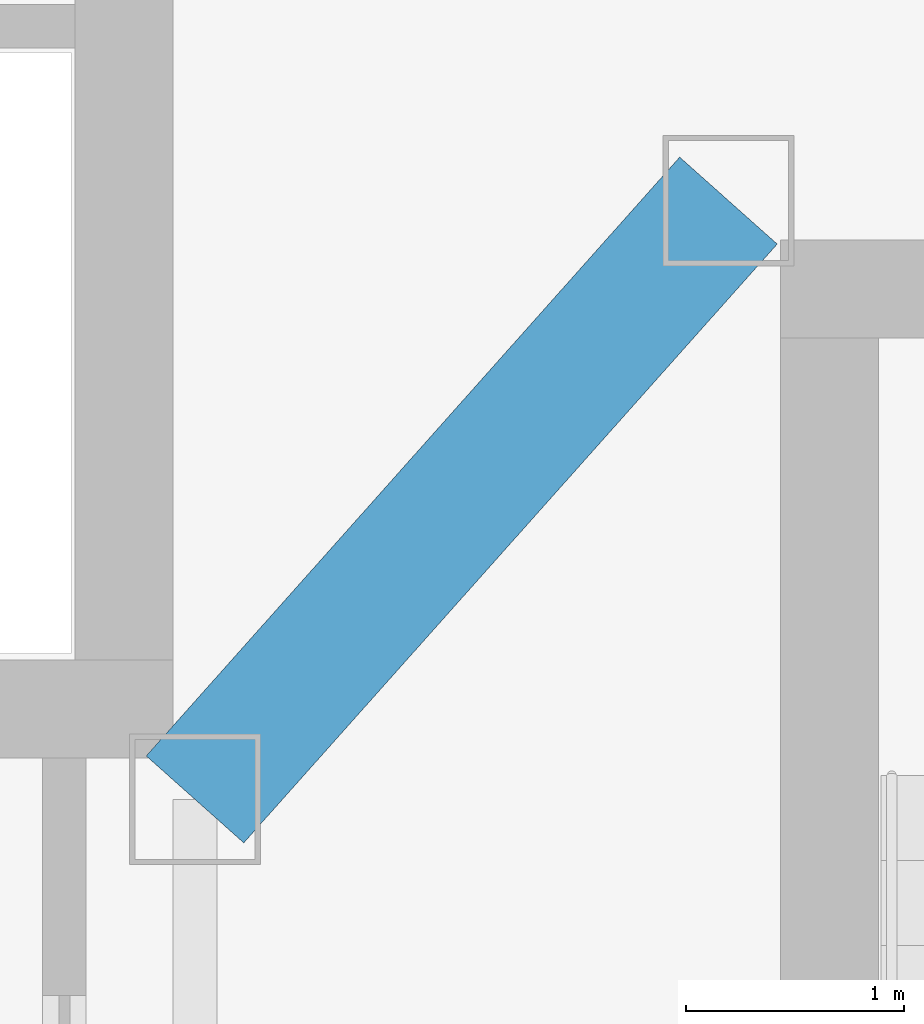
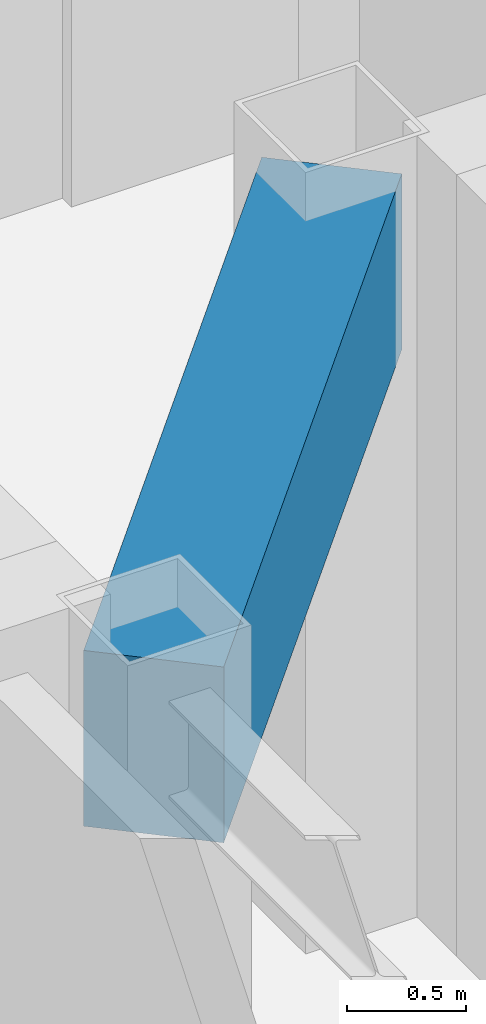
# One storey, part 14 of 29: 1 beam.
"""IFC4 building model written with IfcOpenShell, lengths in metres."""

import ifcopenshell
import ifcopenshell.guid

model = None  # the IFC model being written
_history = None  # IfcOwnerHistory: only IFC2X3 demands one
_inside = {}  # id of a spatial element -> (the spatial element, [elements in it])
_under = {}  # id of a project, library or spatial element -> (it, [spatial elements below it])
_declared = {}  # id of a project -> (the project, [libraries it declares])
_typed = {}  # id of a type object -> (the type object, [elements of that type])
_made_of = {}  # id of a material, layer set ... -> (it, [elements and type objects made of it])


def new_model(schema):
    """Start an empty IFC model of exactly this schema.

    Asked for "IFC4X3", IfcOpenShell would pick the latest addendum, in which some entities
    have other attributes; the version numbers below select the first issue.
    IFC2X3 requires an IfcOwnerHistory on every rooted entity: one is made here for all.
    """
    global model, _history
    if schema == "IFC4X3":
        model = ifcopenshell.file(schema_version=(4, 3, 0, 0))
    else:
        model = ifcopenshell.file(schema=schema)
    _inside.clear()
    _under.clear()
    _declared.clear()
    _typed.clear()
    _made_of.clear()
    _history = None
    if model.schema == "IFC2X3":
        org = make("IfcOrganization", Name="unknown")
        user = make(
            "IfcPersonAndOrganization",
            ThePerson=make("IfcPerson", FamilyName="unknown"),
            TheOrganization=org,
        )
        app = make(
            "IfcApplication",
            ApplicationDeveloper=org,
            Version="unknown",
            ApplicationFullName="unknown",
            ApplicationIdentifier="unknown",
        )
        _history = make(
            "IfcOwnerHistory",
            OwningUser=user,
            OwningApplication=app,
            ChangeAction="ADDED",
            CreationDate=0,
        )
    return model


def make(cls, **values):
    """One entity of the class cls with the attributes given. An attribute that is None is left unset."""
    return model.create_entity(
        cls, **{name: value for name, value in values.items() if value is not None}
    )


def rooted(cls, **values):
    """An entity with a GlobalId (a new one), such as an element, a storey or a relation."""
    return make(cls, GlobalId=ifcopenshell.guid.new(), OwnerHistory=_history, **values)


def si_unit(unit_type, name, prefix=None):
    """IfcSIUnit, for example si_unit("LENGTHUNIT", "METRE", prefix="MILLI")."""
    return make("IfcSIUnit", UnitType=unit_type, Prefix=prefix, Name=name)


def assignment(units):
    """IfcUnitAssignment: the units of a project."""
    return None if units is None else make("IfcUnitAssignment", Units=units)


def point(xyz):
    """IfcCartesianPoint."""
    return None if xyz is None else make("IfcCartesianPoint", Coordinates=xyz)


def direction(xyz):
    """IfcDirection."""
    return None if xyz is None else make("IfcDirection", DirectionRatios=xyz)


def frame(location, z_axis=None, x_axis=None):
    """IfcAxis2Placement3D, a coordinate frame: its origin and axes. An axis left out is left unset."""
    return make(
        "IfcAxis2Placement3D",
        Location=point(location),
        Axis=direction(z_axis),
        RefDirection=direction(x_axis),
    )


def frame_2d(location, x_axis=None):
    """IfcAxis2Placement2D, a coordinate frame in the plane: its origin and x axis."""
    return make(
        "IfcAxis2Placement2D", Location=point(location), RefDirection=direction(x_axis)
    )


def origin():
    """The frame at (0, 0, 0) with its axes left unset."""
    return frame((0.0, 0.0, 0.0))


def origin_2d():
    """The frame at (0, 0) in the plane with its x axis left unset."""
    return frame_2d((0.0, 0.0))


def place(relative_to, where):
    """IfcLocalPlacement: puts the frame where relative to a parent placement (None: the world)."""
    return make(
        "IfcLocalPlacement", PlacementRelTo=relative_to, RelativePlacement=where
    )


def context(
    kind, dimensions, precision=None, world=None, true_north=None, identifier=None
):
    """IfcGeometricRepresentationContext, for example the 3D "Model" context."""
    return make(
        "IfcGeometricRepresentationContext",
        ContextIdentifier=identifier,
        ContextType=kind,
        CoordinateSpaceDimension=dimensions,
        Precision=precision,
        WorldCoordinateSystem=world,
        TrueNorth=true_north,
    )


def subcontext(parent, identifier, kind, view, scale=None):
    """IfcGeometricRepresentationSubContext, for example "Body" below "Model"."""
    return make(
        "IfcGeometricRepresentationSubContext",
        ContextIdentifier=identifier,
        ContextType=kind,
        ParentContext=parent,
        TargetScale=scale,
        TargetView=view,
    )


def project(units=None, contexts=None):
    """IfcProject with its units and contexts."""
    return rooted(
        "IfcProject",
        Name="project",
        RepresentationContexts=contexts,
        UnitsInContext=assignment(units),
    )


def spatial(cls, under=None, at=None, **own):
    """A site, building, storey or space (cls), placed at a placement, below another one or the project."""
    s = rooted(cls, ObjectPlacement=at, **own)
    if under is not None:
        _under.setdefault(under.id(), (under, []))[1].append(s)
    return s


def profile(cls, at=None, kind="AREA", **sizes):
    """A parametric profile (cls). Its sizes go by their IFC names, for example OverallWidth=200.0."""
    return make(cls, ProfileType=kind, Position=at, **sizes)


def rectangle(**sizes):
    """IfcRectangleProfileDef."""
    return profile("IfcRectangleProfileDef", **sizes)


def extrude(swept, where, along, depth):
    """IfcExtrudedAreaSolid: the profile swept, set in the frame where, extruded along a direction by depth."""
    return make(
        "IfcExtrudedAreaSolid",
        SweptArea=swept,
        Position=where,
        ExtrudedDirection=direction(along),
        Depth=depth,
    )


def shape(context_of_items, identifier, shape_type, items):
    """IfcShapeRepresentation: the items that make up one representation, for example the "Body"."""
    return make(
        "IfcShapeRepresentation",
        ContextOfItems=context_of_items,
        RepresentationIdentifier=identifier,
        RepresentationType=shape_type,
        Items=items,
    )


def material(Name=None, Category=None):
    """IfcMaterial."""
    return make("IfcMaterial", Name=Name, Category=Category)


def material_profile(
    of_material, cross_section, Name=None, Category=None, Priority=None
):
    """IfcMaterialProfile: a cross section and its material."""
    return make(
        "IfcMaterialProfile",
        Name=Name,
        Material=of_material,
        Profile=cross_section,
        Priority=Priority,
        Category=Category,
    )


def profile_set(profiles, Name=None, composite=None):
    """IfcMaterialProfileSet."""
    return make(
        "IfcMaterialProfileSet",
        Name=Name,
        MaterialProfiles=profiles,
        CompositeProfile=composite,
    )


def made_of(thing, what):
    """Note that an element or type object is made of a material, layer set ...; save() writes the relation."""
    if what is not None:
        _made_of.setdefault(what.id(), (what, []))[1].append(thing)
    return thing


def type_object(cls, material=None, **own):
    """A type object (cls), such as IfcWallType, which elements share."""
    return made_of(rooted(cls, **own), material)


def element(
    cls,
    number,
    at=None,
    inside=None,
    cuts=None,
    type_object=None,
    material=None,
    context=None,
    identifier="Body",
    shape_type=None,
    held_by="IfcProductDefinitionShape",
    body=None,
    shapes=None,
    **own,
):
    """One element of the class cls, such as IfcWall. Its Tag is "e" and its number.

    at: its placement. inside: the storey or other place that contains it. cuts: it is an
    opening in that element (IfcRelVoidsElement). A single representation is given by context,
    identifier, shape_type and body (its items); several are given by shapes. held_by: the class
    of the entity that holds the representations. save() writes the other relations.
    """
    e = rooted(cls, Tag="e%d" % number, ObjectPlacement=at, **own)
    if body is not None:
        shapes = [shape(context, identifier, shape_type, body)]
    if shapes is not None:
        e.Representation = make(held_by, Representations=shapes)
    if inside is not None:
        _inside.setdefault(inside.id(), (inside, []))[1].append(e)
    if cuts is not None:
        rooted(
            "IfcRelVoidsElement", RelatingBuildingElement=cuts, RelatedOpeningElement=e
        )
    if type_object is not None:
        _typed.setdefault(type_object.id(), (type_object, []))[1].append(e)
    return made_of(e, material)


def aggregate(whole, parts):
    """IfcRelAggregates: a whole, such as a stair, and the parts it consists of."""
    return rooted("IfcRelAggregates", RelatingObject=whole, RelatedObjects=parts)


def save(model, path):
    """Write the relations noted so far, then the file.

    IfcRelAggregates (storeys below a building ...), IfcRelContainedInSpatialStructure (elements
    in a storey), IfcRelDefinesByType, IfcRelAssociatesMaterial and IfcRelDeclares: one each for
    every whole, place, type object, material and project.
    """
    for whole, parts in _under.values():
        aggregate(whole, parts)
    for where, things in _inside.values():
        rooted(
            "IfcRelContainedInSpatialStructure",
            RelatedElements=things,
            RelatingStructure=where,
        )
    for kind, things in _typed.values():
        rooted("IfcRelDefinesByType", RelatedObjects=things, RelatingType=kind)
    for what, things in _made_of.values():
        rooted("IfcRelAssociatesMaterial", RelatedObjects=things, RelatingMaterial=what)
    for by, libraries in _declared.values():
        rooted("IfcRelDeclares", RelatingContext=by, RelatedDefinitions=libraries)
    model.write(path)


model = new_model("IFC4")

# Units and contexts
model_context = context("Model", 3, precision=1e-05, world=origin(), true_north=direction((0.0, 1.0)))
body_context = subcontext(model_context, "Body", "Model", "MODEL_VIEW")
ifc_project = project(units=[si_unit("LENGTHUNIT", "METRE"), si_unit("AREAUNIT", "SQUARE_METRE"), si_unit("VOLUMEUNIT", "CUBIC_METRE"), si_unit("PLANEANGLEUNIT", "RADIAN"), si_unit("MASSUNIT", "GRAM", prefix="KILO")], contexts=[model_context])

# Site, building, storey
site_placement = place(None, origin())
site = spatial("IfcSite", under=ifc_project, at=site_placement, CompositionType="ELEMENT")
building_placement = place(site_placement, origin())
building = spatial("IfcBuilding", under=site, at=building_placement, Name="Hatsunagi Terrace Concourse", CompositionType="ELEMENT")
storey_placement = place(building_placement, frame((0.0, 0.0, 277.949951171875)))
storey = spatial("IfcBuildingStorey", under=building, at=storey_placement, Name="L73", CompositionType="ELEMENT", Elevation=277.949951171875)

# Beam
ifc_material = material(Name="Concrete Fc42", Category="concrete")
ifc_material_profile = material_profile(ifc_material, rectangle(XDim=0.60009765625, YDim=0.89990234375, at=origin_2d()), Name="RC-600x900")
ifc_profile_set = profile_set([ifc_material_profile], Name="Concrete Fc42")
beam_type = type_object("IfcBeamType", Name="CoreCouplingBeam_RC_600x900", PredefinedType="BEAM", material=ifc_profile_set)
beam_placement = place(storey_placement, frame((33.35009765625, 32.550048828125, 3.300048828125), z_axis=(0.665198651008, 0.746666427997, 0.0), x_axis=(-0.746666427997, 0.665198651008, 0.0)))
element("IfcBeam", 1, at=beam_placement, inside=storey, type_object=beam_type, Name="Beam CB-03 CB-L73-1", PredefinedType="BEAM", context=body_context, shape_type="SweptSolid", body=[
    extrude(rectangle(XDim=0.60009765625, YDim=0.89990234375, at=origin_2d()), origin(), (0.0, 0.0, 1.0), 3.68310546875),
])

save(model, "model.ifc")
